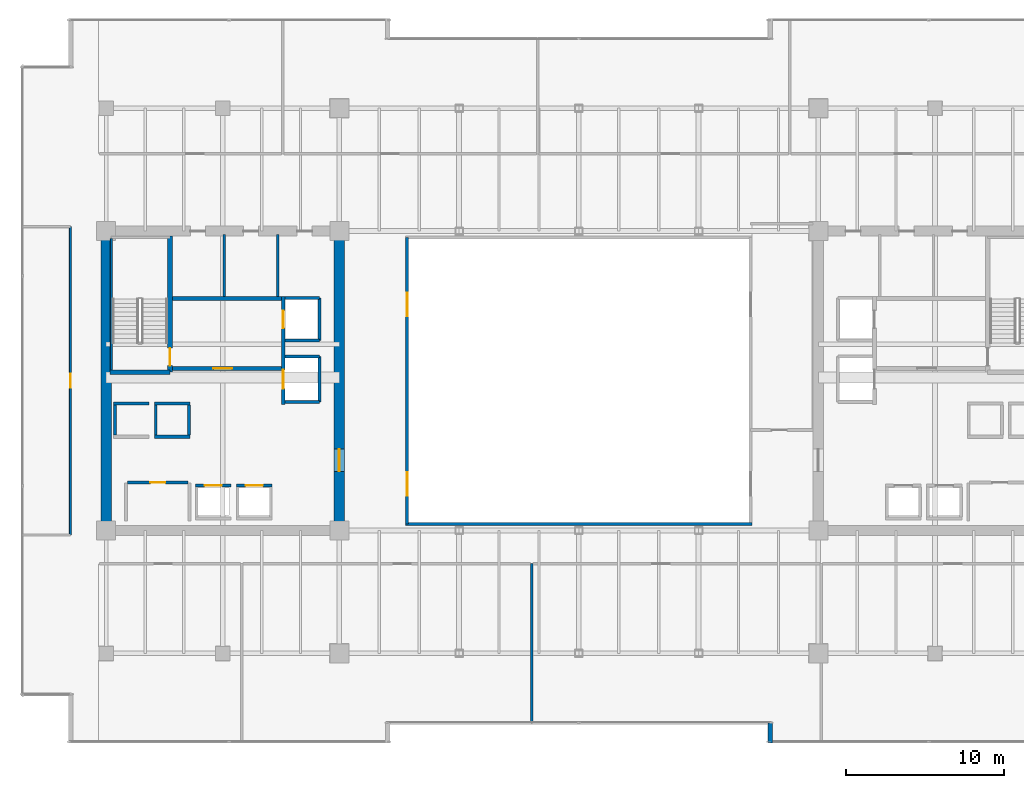
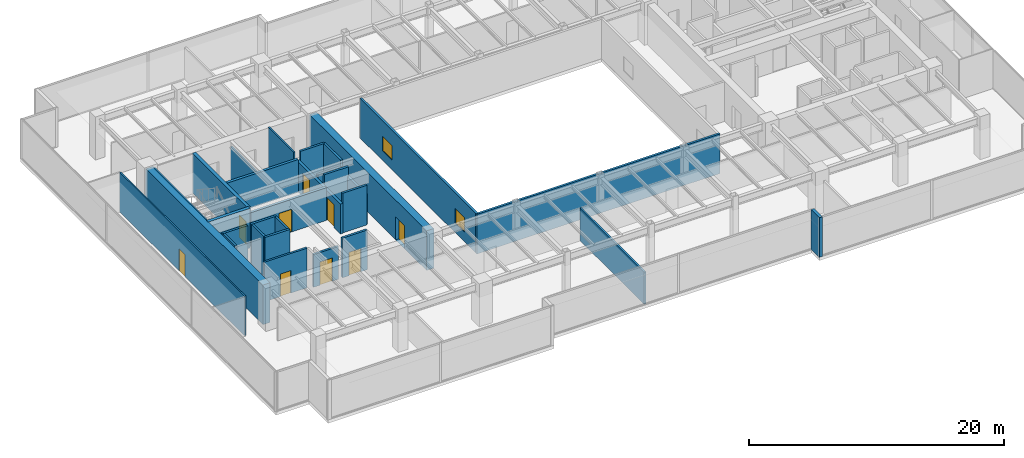
# One storey, part 25 of 33: 30 walls, 9 doors, 2 windows, 11 openings.
"""IFC4 building model written with IfcOpenShell, lengths in metres."""

from ifc_helpers import new_model, si_unit, direction, frame, frame_2d, origin, place, context, subcontext, project, spatial, rectangle, extrude, source, transform, mapped, material, layer, layer_set, type_object, type_shapes, element, fill, save


model = new_model("IFC4")

# Units and contexts
model_context = context("Model", 3, precision=1e-05, world=origin(), true_north=direction((0.0, 1.0)))
body_context = subcontext(model_context, "Body", "Model", "MODEL_VIEW")
ifc_project = project(units=[si_unit("LENGTHUNIT", "METRE"), si_unit("AREAUNIT", "SQUARE_METRE"), si_unit("VOLUMEUNIT", "CUBIC_METRE"), si_unit("PLANEANGLEUNIT", "RADIAN"), si_unit("MASSUNIT", "GRAM", prefix="KILO")], contexts=[model_context])

# Site, building, storey
site_placement = place(None, origin())
site = spatial("IfcSite", under=ifc_project, at=site_placement, CompositionType="ELEMENT")
building_placement = place(site_placement, origin())
building = spatial("IfcBuilding", under=site, at=building_placement, Name="Haelvirn Gate Laboratories", CompositionType="ELEMENT")
storey_placement = place(building_placement, frame((0.0, 0.0, 117.39990234375)))
storey = spatial("IfcBuildingStorey", under=building, at=storey_placement, Name="L28", CompositionType="ELEMENT", Elevation=117.39990234375)

# Walls
ifc_material_1 = material(Name="Thermally-broken bronze aluminium rainscreen & mineral wool", Category="aluminium")
ifc_layer_1 = layer(ifc_material_1, 0.280029296875, Name="EW-TERR-280")
ifc_layer_set_1 = layer_set([ifc_layer_1], Name="Thermally-broken bronze aluminium rainscreen & mineral wool")
wall_type_1 = type_object("IfcWallType", Name="EW-TERR-280", PredefinedType="STANDARD", material=ifc_layer_set_1)
wall_1_placement = place(storey_placement, frame((49.5400390625, 2.587890625, 0.0), z_axis=(0.0, 0.0, 1.0), x_axis=(0.0, -1.0, 0.0)))
element("IfcWall", 1, at=wall_1_placement, inside=storey, type_object=wall_type_1, Name="L28 Atrium Recess Bronze Return Wall 03", PredefinedType="STANDARD", context=body_context, shape_type="SweptSolid", body=[
    extrude(rectangle(XDim=1.287841796875, YDim=0.280029296875, at=frame_2d((0.64404296875, 0.0))), origin(), (0.0, 0.0, 1.0), 3.7900390625),
])
ifc_material_2 = material(Name="Double-layer acoustic gypsum laboratory partition", Category="gypsum")
ifc_layer_2 = layer(ifc_material_2, 0.159912109375, Name="IW-ACOUST-160")
ifc_layer_set_2 = layer_set([ifc_layer_2], Name="Double-layer acoustic gypsum laboratory partition")
wall_type_2 = type_object("IfcWallType", Name="IW-ACOUST-160", PredefinedType="PARTITIONING", material=ifc_layer_set_2)
wall_2_placement = place(storey_placement, frame((34.39990234375, 2.610107421875, 0.0), z_axis=(0.0, 0.0, 1.0), x_axis=(0.0, 1.0, 0.0)))
element("IfcWall", 2, at=wall_2_placement, inside=storey, type_object=wall_type_2, Name="L28 Interior Wall IW-L28-SDIV-02", PredefinedType="PARTITIONING", context=body_context, shape_type="SweptSolid", body=[
    extrude(rectangle(XDim=10.079833984375, YDim=0.159912109375, at=frame_2d((5.0400390625, 0.0))), origin(), (0.0, 0.0, 1.0), 3.0751953125),
])

# Wall, openings, windows
ifc_material_3 = material(Name="Tempered fire-rated borosilicate glass & anodised aluminium", Category="aluminium")
ifc_layer_3 = layer(ifc_material_3, 0.195068359375, Name="IW-GLAZ-200")
ifc_layer_set_3 = layer_set([ifc_layer_3], Name="Tempered fire-rated borosilicate glass & anodised aluminium")
wall_type_3 = type_object("IfcWallType", Name="IW-GLAZ-200", PredefinedType="SOLIDWALL", material=ifc_layer_set_3)
wall_3_placement = place(storey_placement, frame((26.5, 15.199951171875, 0.0), z_axis=(0.0, 0.0, 1.0), x_axis=(0.0, 1.0, 0.0)))
wall_3 = element("IfcWall", 3, at=wall_3_placement, inside=storey, type_object=wall_type_3, Name="L28 Interior Wall IW-L28-ATRIUM-W", PredefinedType="SOLIDWALL", context=body_context, shape_type="SweptSolid", body=[
    extrude(rectangle(XDim=18.199951171875, YDim=0.195068359375, at=frame_2d((9.10009765625, 0.0))), origin(), (0.0, 0.0, 1.0), 3.7900390625),
])
opening_1_placement = place(wall_3_placement, frame((1.800048828125, 0.0, 0.89990234375)))
opening_1 = element("IfcOpeningElement", 4, at=opening_1_placement, cuts=wall_3, Name="Opening W5", PredefinedType="OPENING", context=body_context, shape_type="SweptSolid", body=[
    extrude(rectangle(XDim=1.5, YDim=1.39990234375, at=frame_2d((0.75, 0.699951171875))), frame((0.0, 0.107421875, 0.0), z_axis=(0.0, -1.0, 0.0), x_axis=(1.0, 0.0, 0.0)), (0.0, 0.0, 1.0), 0.215087890625),
])
opening_2_placement = place(wall_3_placement, frame((13.199951171875, 0.0, 0.89990234375)))
opening_2 = element("IfcOpeningElement", 5, at=opening_2_placement, cuts=wall_3, Name="Opening W5", PredefinedType="OPENING", context=body_context, shape_type="SweptSolid", body=[
    extrude(rectangle(XDim=1.5, YDim=1.39990234375, at=frame_2d((0.75, 0.699951171875))), frame((0.0, 0.107421875, 0.0), z_axis=(0.0, -1.0, 0.0), x_axis=(1.0, 0.0, 0.0)), (0.0, 0.0, 1.0), 0.215087890625),
])
ifc_material_4 = material(Name="Fire-rated EI 120 borosilicate atrium vision glazing", Category="glass")
window_type = type_object("IfcWindowType", Name="WN-ATR-1500", PartitioningType="SINGLE_PANEL", PredefinedType="WINDOW", material=ifc_material_4)
shared_shape_1 = source(origin(), body_context, "Body", "SweptSolid", [
    extrude(rectangle(XDim=1.5, YDim=1.39990234375, at=frame_2d((0.75, 0.699951171875))), frame((0.0, 0.030029296875, 0.0), z_axis=(0.0, -1.0, 0.0), x_axis=(1.0, 0.0, 0.0)), (0.0, 0.0, 1.0), 0.06005859375),
])
type_shapes(window_type, [shared_shape_1])
window_1_placement = place(opening_1_placement, origin())
window_1 = element("IfcWindow", 6, at=window_1_placement, inside=storey, type_object=window_type, Name="L28 Atrium Observation Window 1", OverallHeight=1.39990234375, OverallWidth=1.5, PartitioningType="SINGLE_PANEL", PredefinedType="WINDOW", context=body_context, shape_type="MappedRepresentation", body=[
    mapped(shared_shape_1, transform((0.0, 0.0, 0.0), scale=1.0)),
])
fill(opening_1, window_1)
window_2_placement = place(opening_2_placement, origin())
window_2 = element("IfcWindow", 7, at=window_2_placement, inside=storey, type_object=window_type, Name="L28 Atrium Observation Window 2", OverallHeight=1.39990234375, OverallWidth=1.5, PartitioningType="SINGLE_PANEL", PredefinedType="WINDOW", context=body_context, shape_type="MappedRepresentation", body=[
    mapped(shared_shape_1, transform((0.0, 0.0, 0.0), scale=1.0)),
])
fill(opening_2, window_2)

# Wall
wall_4_placement = place(storey_placement, frame((26.39990234375, 15.199951171875, 0.0), z_axis=(0.0, 0.0, 1.0), x_axis=(1.0, 0.0, 0.0)))
element("IfcWall", 8, at=wall_4_placement, inside=storey, type_object=wall_type_3, Name="L28 Interior Wall IW-L28-ATRIUM-S", PredefinedType="SOLIDWALL", context=body_context, shape_type="SweptSolid", body=[
    extrude(rectangle(XDim=22.0, YDim=0.195068359375, at=frame_2d((11.0, 0.0))), origin(), (0.0, 0.0, 1.0), 3.7900390625),
])

# Wall, opening, door
ifc_material_5 = material(Name="Lightweight acoustic gypsum board partition", Category="gypsum")
ifc_layer_4 = layer(ifc_material_5, 0.1201171875, Name="IW-PART-120")
ifc_layer_set_4 = layer_set([ifc_layer_4], Name="Lightweight acoustic gypsum board partition")
wall_type_4 = type_object("IfcWallType", Name="IW-PART-120", PredefinedType="PARTITIONING", material=ifc_layer_set_4)
wall_5_placement = place(storey_placement, frame((5.1298828125, 14.514892578125, 0.0), z_axis=(0.0, 0.0, 1.0), x_axis=(0.0, 1.0, 0.0)))
wall_5 = element("IfcWall", 9, at=wall_5_placement, inside=storey, type_object=wall_type_4, Name="L28 Interior Wall IW-L28-WPASS-01", PredefinedType="PARTITIONING", context=body_context, shape_type="SweptSolid", body=[
    extrude(rectangle(XDim=19.570068359375, YDim=0.1201171875, at=frame_2d((9.78515625, 0.0))), origin(), (0.0, 0.0, 1.0), 3.7900390625),
])
opening_3_placement = place(wall_5_placement, frame((9.3349609375, 0.0, 0.0)))
opening_3 = element("IfcOpeningElement", 10, at=opening_3_placement, cuts=wall_5, Name="Opening D4", PredefinedType="OPENING", context=body_context, shape_type="SweptSolid", body=[
    extrude(rectangle(XDim=0.89990234375, YDim=2.10009765625, at=frame_2d((0.449951171875, 1.050048828125))), frame((0.0, 0.070068359375, 0.0), z_axis=(0.0, -1.0, 0.0), x_axis=(1.0, 0.0, 0.0)), (0.0, 0.0, 1.0), 0.14013671875),
])
ifc_material_6 = material(Name="Glazed aluminium-framed write-up door", Category="aluminium")
door_type_1 = type_object("IfcDoorType", Name="DR-OFF-900", OperationType="NOTDEFINED", PredefinedType="DOOR", material=ifc_material_6)
shared_shape_2 = source(origin(), body_context, "Body", "SweptSolid", [
    extrude(rectangle(XDim=0.89990234375, YDim=2.10009765625, at=frame_2d((0.449951171875, 1.050048828125))), frame((0.0, 0.02490234375, 0.0), z_axis=(0.0, -1.0, 0.0), x_axis=(1.0, 0.0, 0.0)), (0.0, 0.0, 1.0), 0.050048828125),
])
type_shapes(door_type_1, [shared_shape_2])
door_1_placement = place(opening_3_placement, origin())
door_1 = element("IfcDoor", 11, at=door_1_placement, inside=storey, type_object=door_type_1, Name="L28 Peer-Review Seminar Room Door W1", OperationType="SINGLE_SWING_LEFT", OverallHeight=2.10009765625, OverallWidth=0.89990234375, PredefinedType="DOOR", context=body_context, shape_type="MappedRepresentation", body=[
    mapped(shared_shape_2, transform((0.0, 0.0, 0.0), scale=1.0)),
])
fill(opening_3, door_1)

# Walls
ifc_material_7 = material(Name="Cement-board restroom plumbing chase wall", Category="gypsum")
ifc_layer_5 = layer(ifc_material_7, 0.155029296875, Name="IW-PLUMB-160")
ifc_layer_set_5 = layer_set([ifc_layer_5], Name="Cement-board restroom plumbing chase wall")
wall_type_5 = type_object("IfcWallType", Name="IW-PLUMB-160", PredefinedType="PLUMBINGWALL", material=ifc_layer_set_5)
wall_6_placement = place(storey_placement, frame((14.889892578125, 29.64990234375, 0.0), z_axis=(0.0, 0.0, 1.0), x_axis=(0.0, 1.0, 0.0)))
element("IfcWall", 12, at=wall_6_placement, inside=storey, type_object=wall_type_5, Name="L28 Interior Wall IW-L28-W-CDIV-1", PredefinedType="PLUMBINGWALL", context=body_context, shape_type="SweptSolid", body=[
    extrude(rectangle(XDim=3.93017578125, YDim=0.155029296875, at=frame_2d((1.965087890625, 0.0))), origin(), (0.0, 0.0, 1.0), 3.125),
])
wall_7_placement = place(storey_placement, frame((18.2900390625, 29.64990234375, 0.0), z_axis=(0.0, 0.0, 1.0), x_axis=(0.0, 1.0, 0.0)))
element("IfcWall", 13, at=wall_7_placement, inside=storey, type_object=wall_type_5, Name="L28 Interior Wall IW-L28-W-CDIV-2", PredefinedType="PLUMBINGWALL", context=body_context, shape_type="SweptSolid", body=[
    extrude(rectangle(XDim=3.93017578125, YDim=0.155029296875, at=frame_2d((1.965087890625, 0.0))), origin(), (0.0, 0.0, 1.0), 3.7900390625),
])
ifc_material_8 = material(Name="Concrete C40/50", Category="concrete")
ifc_layer_6 = layer(ifc_material_8, 0.179931640625, Name="IW-SHAFT-180")
ifc_layer_set_6 = layer_set([ifc_layer_6], Name="Concrete C40/50")
wall_type_6 = type_object("IfcWallType", Name="IW-SHAFT-180", PredefinedType="SOLIDWALL", material=ifc_layer_set_6)
for number, where, z_axis, x_axis, name in (
    (14, (7.949951171875, 20.85009765625, 0.0), (0.0, 0.0, 1.0), (0.0, 1.0, 0.0), "L28 Interior Wall IW-L28-PL9-SD"),
    (15, (10.550048828125, 20.85009765625, 0.0), (0.0, 0.0, 1.0), (0.0, 1.0, 0.0), "L28 Interior Wall IW-L28-PL10-SD"),
    (16, (12.64990234375, 20.85009765625, 0.0), (0.0, 0.0, 1.0), (0.0, 1.0, 0.0), "L28 Interior Wall IW-L28-PL10-SDE"),
):
    element("IfcWall", number, at=place(storey_placement, frame(where, z_axis=z_axis, x_axis=x_axis)), inside=storey, type_object=wall_type_6, Name=name, PredefinedType="SOLIDWALL", context=body_context, shape_type="SweptSolid", body=[
        extrude(rectangle(XDim=1.89990234375, YDim=0.179931640625, at=frame_2d((0.949951171875, 0.0))), origin(), (0.0, 0.0, 1.0), 3.7900390625),
    ])

# Wall, opening, door
wall_8_placement = place(storey_placement, frame((8.75, 17.85009765625, 0.0), z_axis=(0.0, 0.0, 1.0), x_axis=(1.0, 0.0, 0.0)))
wall_8 = element("IfcWall", 17, at=wall_8_placement, inside=storey, type_object=wall_type_6, Name="L28 Interior Wall IW-L28-W-FREED-LN-1", PredefinedType="SOLIDWALL", context=body_context, shape_type="SweptSolid", body=[
    extrude(rectangle(XDim=3.85009765625, YDim=0.179931640625, at=frame_2d((1.925048828125, 0.0))), origin(), (0.0, 0.0, 1.0), 3.7900390625),
])
opening_4_placement = place(wall_8_placement, frame((1.449951171875, 0.0, 0.0)))
opening_4 = element("IfcOpeningElement", 18, at=opening_4_placement, cuts=wall_8, Name="Opening FD4", PredefinedType="OPENING", context=body_context, shape_type="SweptSolid", body=[
    extrude(rectangle(XDim=0.949951171875, YDim=2.14990234375, at=frame_2d((0.47509765625, 1.074951171875))), frame((0.0, 0.10009765625, 0.0), z_axis=(0.0, -1.0, 0.0), x_axis=(1.0, 0.0, 0.0)), (0.0, 0.0, 1.0), 0.199951171875),
])
ifc_material_9 = material(Name="Fire-rated steel SM355 core service door", Category="steel")
door_type_2 = type_object("IfcDoorType", Name="DR-FD-950", OperationType="NOTDEFINED", PredefinedType="DOOR", material=ifc_material_9)
shared_shape_3 = source(origin(), body_context, "Body", "SweptSolid", [
    extrude(rectangle(XDim=0.949951171875, YDim=2.14990234375, at=frame_2d((0.47509765625, 1.074951171875))), frame((0.0, 0.02490234375, 0.0), z_axis=(0.0, -1.0, 0.0), x_axis=(1.0, 0.0, 0.0)), (0.0, 0.0, 1.0), 0.050048828125),
])
type_shapes(door_type_2, [shared_shape_3])
door_2_placement = place(opening_4_placement, origin())
door_2 = element("IfcDoor", 19, at=door_2_placement, inside=storey, type_object=door_type_2, Name="L28 Cryo-Dewar & Sterile Glassware Room Door", OperationType="SINGLE_SWING_LEFT", OverallHeight=2.14990234375, OverallWidth=0.949951171875, PredefinedType="DOOR", context=body_context, shape_type="MappedRepresentation", body=[
    mapped(shared_shape_3, transform((0.0, 0.0, 0.0), scale=1.0)),
])
fill(opening_4, door_2)

ifc_layer_7 = layer(ifc_material_8, 0.199951171875, Name="IW-SHAFT-200")
ifc_layer_set_7 = layer_set([ifc_layer_7], Name="Concrete C40/50")
wall_type_7 = type_object("IfcWallType", Name="IW-SHAFT-200", PredefinedType="SOLIDWALL", material=ifc_layer_set_7)
wall_9_placement = place(storey_placement, frame((13.070068359375, 17.64990234375, 0.0), z_axis=(0.0, 0.0, 1.0), x_axis=(1.0, 0.0, 0.0)))
wall_9 = element("IfcWall", 20, at=wall_9_placement, inside=storey, type_object=wall_type_7, Name="L28 Interior Wall IW-L28-PL5-FR", PredefinedType="SOLIDWALL", context=body_context, shape_type="SweptSolid", body=[
    extrude(rectangle(XDim=2.260009765625, YDim=0.199951171875, at=frame_2d((1.1298828125, 0.0))), origin(), (0.0, 0.0, 1.0), 3.125),
])
opening_5_placement = place(wall_9_placement, frame((0.580078125, 0.0, 0.0)))
opening_5 = element("IfcOpeningElement", 21, at=opening_5_placement, cuts=wall_9, Name="Opening LD2", PredefinedType="OPENING", context=body_context, shape_type="SweptSolid", body=[
    extrude(rectangle(XDim=1.10009765625, YDim=2.219970703125, at=frame_2d((0.550048828125, 1.10986328125))), frame((0.0, 0.10986328125, 0.0), z_axis=(0.0, -1.0, 0.0), x_axis=(1.0, 0.0, 0.0)), (0.0, 0.0, 1.0), 0.219970703125),
])
ifc_material_10 = material(Name="Bronze stainless 316L sliding lift landing door")
door_type_3 = type_object("IfcDoorType", Name="DR-LD-1100", OperationType="NOTDEFINED", PredefinedType="USERDEFINED", material=ifc_material_10)
shared_shape_4 = source(origin(), body_context, "Body", "SweptSolid", [
    extrude(rectangle(XDim=1.10009765625, YDim=2.219970703125, at=frame_2d((0.550048828125, 1.10986328125))), frame((0.0, 0.02490234375, 0.0), z_axis=(0.0, -1.0, 0.0), x_axis=(1.0, 0.0, 0.0)), (0.0, 0.0, 1.0), 0.050048828125),
])
type_shapes(door_type_3, [shared_shape_4])
door_3_placement = place(opening_5_placement, origin())
door_3 = element("IfcDoor", 22, at=door_3_placement, inside=storey, type_object=door_type_3, Name="L28 Passenger Lift PL5 Landing Door", ObjectType="LANDING_DOOR", OperationType="SLIDING_TO_LEFT", OverallHeight=2.219970703125, OverallWidth=1.10009765625, PredefinedType="USERDEFINED", context=body_context, shape_type="MappedRepresentation", body=[
    mapped(shared_shape_4, transform((0.0, 0.0, 0.0), scale=1.0)),
])
fill(opening_5, door_3)

wall_10_placement = place(storey_placement, frame((15.669921875, 17.64990234375, 0.0), z_axis=(0.0, 0.0, 1.0), x_axis=(1.0, 0.0, 0.0)))
wall_10 = element("IfcWall", 23, at=wall_10_placement, inside=storey, type_object=wall_type_7, Name="L28 Interior Wall IW-L28-PL6-FR", PredefinedType="SOLIDWALL", context=body_context, shape_type="SweptSolid", body=[
    extrude(rectangle(XDim=2.260009765625, YDim=0.199951171875, at=frame_2d((1.1298828125, 0.0))), origin(), (0.0, 0.0, 1.0), 3.7900390625),
])
opening_6_placement = place(wall_10_placement, frame((0.580078125, 0.0, 0.0)))
opening_6 = element("IfcOpeningElement", 24, at=opening_6_placement, cuts=wall_10, Name="Opening LD2", PredefinedType="OPENING", context=body_context, shape_type="SweptSolid", body=[
    extrude(rectangle(XDim=1.10009765625, YDim=2.219970703125, at=frame_2d((0.550048828125, 1.10986328125))), frame((0.0, 0.10986328125, 0.0), z_axis=(0.0, -1.0, 0.0), x_axis=(1.0, 0.0, 0.0)), (0.0, 0.0, 1.0), 0.219970703125),
])
door_4_placement = place(opening_6_placement, origin())
door_4 = element("IfcDoor", 25, at=door_4_placement, inside=storey, type_object=door_type_3, Name="L28 Passenger Lift PL6 Landing Door", ObjectType="LANDING_DOOR", OperationType="SLIDING_TO_RIGHT", OverallHeight=2.219970703125, OverallWidth=1.10009765625, PredefinedType="USERDEFINED", context=body_context, shape_type="MappedRepresentation", body=[
    mapped(shared_shape_4, transform((0.0, 0.0, 0.0), scale=1.0)),
])
fill(opening_6, door_4)

# Walls
wall_11_placement = place(storey_placement, frame((7.8701171875, 22.85009765625, 0.0), z_axis=(0.0, 0.0, 1.0), x_axis=(1.0, 0.0, 0.0)))
element("IfcWall", 26, at=wall_11_placement, inside=storey, type_object=wall_type_7, Name="L28 Interior Wall IW-L28-PL9-BK", PredefinedType="SOLIDWALL", context=body_context, shape_type="SweptSolid", body=[
    extrude(rectangle(XDim=2.259765625, YDim=0.199951171875, at=frame_2d((1.1298828125, 0.0))), origin(), (0.0, 0.0, 1.0), 3.7900390625),
])
for number, where, z_axis, x_axis, name in (
    (27, (10.469970703125, 20.75, 0.0), (0.0, 0.0, 1.0), (1.0, 0.0, 0.0), "L28 Interior Wall IW-L28-PL10-FR"),
    (28, (10.469970703125, 22.85009765625, 0.0), (0.0, 0.0, 1.0), (1.0, 0.0, 0.0), "L28 Interior Wall IW-L28-PL10-BK"),
):
    element("IfcWall", number, at=place(storey_placement, frame(where, z_axis=z_axis, x_axis=x_axis)), inside=storey, type_object=wall_type_7, Name=name, PredefinedType="SOLIDWALL", context=body_context, shape_type="SweptSolid", body=[
        extrude(rectangle(XDim=2.260009765625, YDim=0.199951171875, at=frame_2d((1.1298828125, 0.0))), origin(), (0.0, 0.0, 1.0), 3.7900390625),
    ])
wall_12_placement = place(storey_placement, frame((20.949951171875, 26.85009765625, 0.0), z_axis=(0.0, 0.0, 1.0), x_axis=(0.0, 1.0, 0.0)))
element("IfcWall", 29, at=wall_12_placement, inside=storey, type_object=wall_type_7, Name="L28 Interior Wall IW-L28-FL1-BK", PredefinedType="SOLIDWALL", context=body_context, shape_type="SweptSolid", body=[
    extrude(rectangle(XDim=2.699951171875, YDim=0.199951171875, at=frame_2d((1.35009765625, 0.0))), origin(), (0.0, 0.0, 1.0), 3.7900390625),
])
wall_13_placement = place(storey_placement, frame((18.760009765625, 29.550048828125, 0.0), z_axis=(0.0, 0.0, 1.0), x_axis=(1.0, 0.0, 0.0)))
element("IfcWall", 30, at=wall_13_placement, inside=storey, type_object=wall_type_7, Name="L28 Interior Wall IW-L28-FL1-N", PredefinedType="SOLIDWALL", context=body_context, shape_type="SweptSolid", body=[
    extrude(rectangle(XDim=2.18994140625, YDim=0.199951171875, at=frame_2d((1.094970703125, 0.0))), origin(), (0.0, 0.0, 1.0), 3.7900390625),
])
wall_14_placement = place(storey_placement, frame((18.760009765625, 26.85009765625, 0.0), z_axis=(0.0, 0.0, 1.0), x_axis=(1.0, 0.0, 0.0)))
element("IfcWall", 31, at=wall_14_placement, inside=storey, type_object=wall_type_7, Name="L28 Interior Wall IW-L28-FL1-S", PredefinedType="SOLIDWALL", context=body_context, shape_type="SweptSolid", body=[
    extrude(rectangle(XDim=2.18994140625, YDim=0.199951171875, at=frame_2d((1.094970703125, 0.0))), origin(), (0.0, 0.0, 1.0), 3.18701171875),
])
wall_15_placement = place(storey_placement, frame((20.949951171875, 22.949951171875, 0.0), z_axis=(0.0, 0.0, 1.0), x_axis=(0.0, 1.0, 0.0)))
element("IfcWall", 32, at=wall_15_placement, inside=storey, type_object=wall_type_7, Name="L28 Interior Wall IW-L28-SL1-BK", PredefinedType="SOLIDWALL", context=body_context, shape_type="SweptSolid", body=[
    extrude(rectangle(XDim=2.900146484375, YDim=0.199951171875, at=frame_2d((1.4501953125, 0.0))), origin(), (0.0, 0.0, 1.0), 2.875),
])
for number, where, z_axis, x_axis, name in (
    (33, (18.760009765625, 25.85009765625, 0.0), (0.0, 0.0, 1.0), (1.0, 0.0, 0.0), "L28 Interior Wall IW-L28-SL1-N"),
    (34, (18.760009765625, 22.949951171875, 0.0), (0.0, 0.0, 1.0), (1.0, 0.0, 0.0), "L28 Interior Wall IW-L28-SL1-S"),
):
    element("IfcWall", number, at=place(storey_placement, frame(where, z_axis=z_axis, x_axis=x_axis)), inside=storey, type_object=wall_type_7, Name=name, PredefinedType="SOLIDWALL", context=body_context, shape_type="SweptSolid", body=[
        extrude(rectangle(XDim=2.18994140625, YDim=0.199951171875, at=frame_2d((1.094970703125, 0.0))), origin(), (0.0, 0.0, 1.0), 3.7900390625),
    ])

# Wall, opening, door
ifc_layer_8 = layer(ifc_material_8, 0.239990234375, Name="IW-SHAFT-240")
ifc_layer_set_8 = layer_set([ifc_layer_8], Name="Concrete C40/50")
wall_type_8 = type_object("IfcWallType", Name="IW-SHAFT-240", PredefinedType="SOLIDWALL", material=ifc_layer_set_8)
wall_16_placement = place(storey_placement, frame((11.60009765625, 25.080078125, 0.0), z_axis=(0.0, 0.0, 1.0), x_axis=(1.0, 0.0, 0.0)))
wall_16 = element("IfcWall", 35, at=wall_16_placement, inside=storey, type_object=wall_type_8, Name="L28 Interior Wall IW-L28-W-FF-S", PredefinedType="SOLIDWALL", context=body_context, shape_type="SweptSolid", body=[
    extrude(rectangle(XDim=6.919921875, YDim=0.239990234375, at=frame_2d((3.4599609375, 0.0))), origin(), (0.0, 0.0, 1.0), 3.125),
])
opening_7_placement = place(wall_16_placement, frame((2.60009765625, 0.0, 0.0)))
opening_7 = element("IfcOpeningElement", 36, at=opening_7_placement, cuts=wall_16, Name="Opening FD2", PredefinedType="OPENING", context=body_context, shape_type="SweptSolid", body=[
    extrude(rectangle(XDim=1.199951171875, YDim=2.159912109375, at=frame_2d((0.60009765625, 1.080078125))), frame((0.0, 0.1298828125, 0.0), z_axis=(0.0, -1.0, 0.0), x_axis=(1.0, 0.0, 0.0)), (0.0, 0.0, 1.0), 0.260009765625),
])
ifc_material_11 = material(Name="Fire-rated steel SM355 compartment door", Category="steel")
door_type_4 = type_object("IfcDoorType", Name="DR-FD-1200", OperationType="NOTDEFINED", PredefinedType="DOOR", material=ifc_material_11)
shared_shape_5 = source(origin(), body_context, "Body", "SweptSolid", [
    extrude(rectangle(XDim=1.199951171875, YDim=2.159912109375, at=frame_2d((0.60009765625, 1.080078125))), frame((0.0, 0.02490234375, 0.0), z_axis=(0.0, -1.0, 0.0), x_axis=(1.0, 0.0, 0.0)), (0.0, 0.0, 1.0), 0.050048828125),
])
type_shapes(door_type_4, [shared_shape_5])
door_5_placement = place(opening_7_placement, origin())
door_5 = element("IfcDoor", 37, at=door_5_placement, inside=storey, type_object=door_type_4, Name="L28 West Firefighting Lobby Door", OperationType="SINGLE_SWING_RIGHT", OverallHeight=2.159912109375, OverallWidth=1.199951171875, PredefinedType="DOOR", context=body_context, shape_type="MappedRepresentation", body=[
    mapped(shared_shape_5, transform((0.0, 0.0, 0.0), scale=1.0)),
])
fill(opening_7, door_5)

# Wall
wall_17_placement = place(storey_placement, frame((11.60009765625, 29.52001953125, 0.0), z_axis=(0.0, 0.0, 1.0), x_axis=(1.0, 0.0, 0.0)))
element("IfcWall", 38, at=wall_17_placement, inside=storey, type_object=wall_type_8, Name="L28 Interior Wall IW-L28-W-FF-N", PredefinedType="SOLIDWALL", context=body_context, shape_type="SweptSolid", body=[
    extrude(rectangle(XDim=6.919921875, YDim=0.239990234375, at=frame_2d((3.4599609375, 0.0))), origin(), (0.0, 0.0, 1.0), 3.125),
])

# Wall, openings, doors
wall_18_placement = place(storey_placement, frame((18.639892578125, 22.800048828125, 0.0), z_axis=(0.0, 0.0, 1.0), x_axis=(0.0, 1.0, 0.0)))
wall_18 = element("IfcWall", 39, at=wall_18_placement, inside=storey, type_object=wall_type_8, Name="L28 Interior Wall IW-L28-W-FF-E", PredefinedType="SOLIDWALL", context=body_context, shape_type="SweptSolid", body=[
    extrude(rectangle(XDim=6.849853515625, YDim=0.239990234375, at=frame_2d((3.4248046875, 0.0))), origin(), (0.0, 0.0, 1.0), 2.875),
])
opening_8_placement = place(wall_18_placement, frame((4.85009765625, 0.0, 0.0)))
opening_8 = element("IfcOpeningElement", 40, at=opening_8_placement, cuts=wall_18, Name="Opening LD2", PredefinedType="OPENING", context=body_context, shape_type="SweptSolid", body=[
    extrude(rectangle(XDim=1.10009765625, YDim=2.219970703125, at=frame_2d((0.550048828125, 1.10986328125))), frame((0.0, 0.1298828125, 0.0), z_axis=(0.0, -1.0, 0.0), x_axis=(1.0, 0.0, 0.0)), (0.0, 0.0, 1.0), 0.260009765625),
])
opening_9_placement = place(wall_18_placement, frame((1.0, 0.0, 0.0)))
opening_9 = element("IfcOpeningElement", 41, at=opening_9_placement, cuts=wall_18, Name="Opening LD1", PredefinedType="OPENING", context=body_context, shape_type="SweptSolid", body=[
    extrude(rectangle(XDim=1.199951171875, YDim=2.219970703125, at=frame_2d((0.60009765625, 1.10986328125))), frame((0.0, 0.1298828125, 0.0), z_axis=(0.0, -1.0, 0.0), x_axis=(1.0, 0.0, 0.0)), (0.0, 0.0, 1.0), 0.260009765625),
])
door_6_placement = place(opening_8_placement, origin())
door_6 = element("IfcDoor", 42, at=door_6_placement, inside=storey, type_object=door_type_3, Name="L28 Firefighting Lift FL1 Landing Door", ObjectType="LANDING_DOOR", OperationType="SLIDING_TO_LEFT", OverallHeight=2.219970703125, OverallWidth=1.10009765625, PredefinedType="USERDEFINED", context=body_context, shape_type="MappedRepresentation", body=[
    mapped(shared_shape_4, transform((0.0, 0.0, 0.0), scale=1.0)),
])
fill(opening_8, door_6)
ifc_material_12 = material(Name="Stainless steel 316L sliding goods landing door", Category="steel")
door_type_5 = type_object("IfcDoorType", Name="DR-LD-1200", OperationType="NOTDEFINED", PredefinedType="USERDEFINED", material=ifc_material_12)
shared_shape_6 = source(origin(), body_context, "Body", "SweptSolid", [
    extrude(rectangle(XDim=1.199951171875, YDim=2.219970703125, at=frame_2d((0.60009765625, 1.10986328125))), frame((0.0, 0.02490234375, 0.0), z_axis=(0.0, -1.0, 0.0), x_axis=(1.0, 0.0, 0.0)), (0.0, 0.0, 1.0), 0.050048828125),
])
type_shapes(door_type_5, [shared_shape_6])
door_7_placement = place(opening_9_placement, origin())
door_7 = element("IfcDoor", 43, at=door_7_placement, inside=storey, type_object=door_type_5, Name="L28 Service Lift SL1 Landing Door", ObjectType="LANDING_DOOR", OperationType="SLIDING_TO_RIGHT", OverallHeight=2.219970703125, OverallWidth=1.199951171875, PredefinedType="USERDEFINED", context=body_context, shape_type="MappedRepresentation", body=[
    mapped(shared_shape_6, transform((0.0, 0.0, 0.0), scale=1.0)),
])
fill(opening_9, door_7)

# Wall
ifc_material_13 = material(Name="Concrete C60/75", Category="concrete")
ifc_layer_9 = layer(ifc_material_13, 0.64990234375, Name="SW-CORE-650")
ifc_layer_set_9 = layer_set([ifc_layer_9], Name="Concrete C60/75")
wall_type_9 = type_object("IfcWallType", Name="SW-CORE-650", PredefinedType="SHEAR", material=ifc_layer_set_9)
wall_19_placement = place(storey_placement, frame((7.39990234375, 15.125, 0.0), z_axis=(0.0, 0.0, 1.0), x_axis=(0.0, 1.0, 0.0)))
element("IfcWall", 44, at=wall_19_placement, inside=storey, type_object=wall_type_9, Name="L28 W Core Shear Wall W", PredefinedType="SHEAR", context=body_context, shape_type="SweptSolid", body=[
    extrude(rectangle(XDim=18.35009765625, YDim=0.64990234375, at=frame_2d((9.175048828125, 0.0))), origin(), (0.0, 0.0, 1.0), 3.7900390625),
])

# Wall, opening, door
wall_20_placement = place(storey_placement, frame((22.199951171875, 15.125, 0.0), z_axis=(0.0, 0.0, 1.0), x_axis=(0.0, 1.0, 0.0)))
wall_20 = element("IfcWall", 45, at=wall_20_placement, inside=storey, type_object=wall_type_9, Name="L28 W Core Shear Wall E", PredefinedType="SHEAR", context=body_context, shape_type="SweptSolid", body=[
    extrude(rectangle(XDim=18.35009765625, YDim=0.64990234375, at=frame_2d((9.175048828125, 0.0))), origin(), (0.0, 0.0, 1.0), 3.7900390625),
])
opening_10_placement = place(wall_20_placement, frame((3.425048828125, 0.0, 0.0)))
opening_10 = element("IfcOpeningElement", 46, at=opening_10_placement, cuts=wall_20, Name="Opening FD1", PredefinedType="OPENING", context=body_context, shape_type="SweptSolid", body=[
    extrude(rectangle(XDim=1.419921875, YDim=2.199951171875, at=frame_2d((0.7099609375, 1.10009765625))), frame((0.0, 0.3349609375, 0.0), z_axis=(0.0, -1.0, 0.0), x_axis=(1.0, 0.0, 0.0)), (0.0, 0.0, 1.0), 0.669921875),
])
ifc_material_14 = material(Name="Fire-rated double steel SM355 lobby door", Category="steel")
door_type_6 = type_object("IfcDoorType", Name="DR-FD-1400", OperationType="NOTDEFINED", PredefinedType="DOOR", material=ifc_material_14)
shared_shape_7 = source(origin(), body_context, "Body", "SweptSolid", [
    extrude(rectangle(XDim=1.419921875, YDim=2.199951171875, at=frame_2d((0.7099609375, 1.10009765625))), frame((0.0, 0.02490234375, 0.0), z_axis=(0.0, -1.0, 0.0), x_axis=(1.0, 0.0, 0.0)), (0.0, 0.0, 1.0), 0.050048828125),
])
type_shapes(door_type_6, [shared_shape_7])
door_8_placement = place(opening_10_placement, origin())
door_8 = element("IfcDoor", 47, at=door_8_placement, inside=storey, type_object=door_type_6, Name="L28 West Core Lift Lobby Fire Door", OperationType="DOUBLE_DOOR_SINGLE_SWING", OverallHeight=2.199951171875, OverallWidth=1.419921875, PredefinedType="DOOR", context=body_context, shape_type="MappedRepresentation", body=[
    mapped(shared_shape_7, transform((0.0, 0.0, 0.0), scale=1.0)),
])
fill(opening_10, door_8)

# Wall
ifc_material_15 = material(Name="Concrete C50/60", Category="concrete")
ifc_layer_10 = layer(ifc_material_15, 0.1201171875, Name="SW-LINER-120")
ifc_layer_set_10 = layer_set([ifc_layer_10], Name="Concrete C50/60")
wall_type_10 = type_object("IfcWallType", Name="SW-LINER-120", PredefinedType="SOLIDWALL", material=ifc_layer_set_10)
wall_21_placement = place(storey_placement, frame((7.72998046875, 25.0, 0.0), z_axis=(0.0, 0.0, 1.0), x_axis=(0.0, 1.0, 0.0)))
element("IfcWall", 48, at=wall_21_placement, inside=storey, type_object=wall_type_10, Name="L28 W Core Stair Shaft Liner Wall OUT", PredefinedType="SOLIDWALL", context=body_context, shape_type="SweptSolid", body=[
    extrude(rectangle(XDim=8.320068359375, YDim=0.1201171875, at=frame_2d((4.16015625, 0.0))), origin(), (0.0, 0.0, 1.0), 3.7900390625),
])

# Wall, opening, door
ifc_layer_11 = layer(ifc_material_15, 0.300048828125, Name="SW-STAIR-300")
ifc_layer_set_11 = layer_set([ifc_layer_11], Name="Concrete C50/60")
wall_type_11 = type_object("IfcWallType", Name="SW-STAIR-300", PredefinedType="SHEAR", material=ifc_layer_set_11)
wall_22_placement = place(storey_placement, frame((11.449951171875, 24.85009765625, 0.0), z_axis=(0.0, 0.0, 1.0), x_axis=(0.0, 1.0, 0.0)))
wall_22 = element("IfcWall", 49, at=wall_22_placement, inside=storey, type_object=wall_type_11, Name="L28 W Core Stair Shaft Structural Wall IN", PredefinedType="SHEAR", context=body_context, shape_type="SweptSolid", body=[
    extrude(rectangle(XDim=8.6298828125, YDim=0.300048828125, at=frame_2d((4.31494140625, 0.0))), origin(), (0.0, 0.0, 1.0), 3.7900390625),
])
opening_11_placement = place(wall_22_placement, frame((0.419921875, 0.0, 0.0)))
opening_11 = element("IfcOpeningElement", 50, at=opening_11_placement, cuts=wall_22, Name="Opening FD3", PredefinedType="OPENING", context=body_context, shape_type="SweptSolid", body=[
    extrude(rectangle(XDim=1.10009765625, YDim=2.14990234375, at=frame_2d((0.550048828125, 1.074951171875))), frame((0.0, 0.16015625, 0.0), z_axis=(0.0, -1.0, 0.0), x_axis=(1.0, 0.0, 0.0)), (0.0, 0.0, 1.0), 0.320068359375),
])
ifc_material_16 = material(Name="Fire-rated steel SM355 escape stair door", Category="steel")
door_type_7 = type_object("IfcDoorType", Name="DR-FD-1100", OperationType="NOTDEFINED", PredefinedType="DOOR", material=ifc_material_16)
shared_shape_8 = source(origin(), body_context, "Body", "SweptSolid", [
    extrude(rectangle(XDim=1.10009765625, YDim=2.14990234375, at=frame_2d((0.550048828125, 1.074951171875))), frame((0.0, 0.02490234375, 0.0), z_axis=(0.0, -1.0, 0.0), x_axis=(1.0, 0.0, 0.0)), (0.0, 0.0, 1.0), 0.050048828125),
])
type_shapes(door_type_7, [shared_shape_8])
door_9_placement = place(opening_11_placement, origin())
door_9 = element("IfcDoor", 51, at=door_9_placement, inside=storey, type_object=door_type_7, Name="L28 Escape Stair ST1 Fire Door", OperationType="SINGLE_SWING_LEFT", OverallHeight=2.14990234375, OverallWidth=1.10009765625, PredefinedType="DOOR", context=body_context, shape_type="MappedRepresentation", body=[
    mapped(shared_shape_8, transform((0.0, 0.0, 0.0), scale=1.0)),
])
fill(opening_11, door_9)

# Wall
wall_23_placement = place(storey_placement, frame((7.64990234375, 24.85009765625, 0.0), z_axis=(0.0, 0.0, 1.0), x_axis=(1.0, 0.0, 0.0)))
element("IfcWall", 52, at=wall_23_placement, inside=storey, type_object=wall_type_11, Name="L28 W Core Stair Shaft Structural Wall S", PredefinedType="SHEAR", context=body_context, shape_type="SweptSolid", body=[
    extrude(rectangle(XDim=3.800048828125, YDim=0.300048828125, at=frame_2d((1.89990234375, 0.0))), origin(), (0.0, 0.0, 1.0), 3.7900390625),
])

save(model, "model.ifc")
